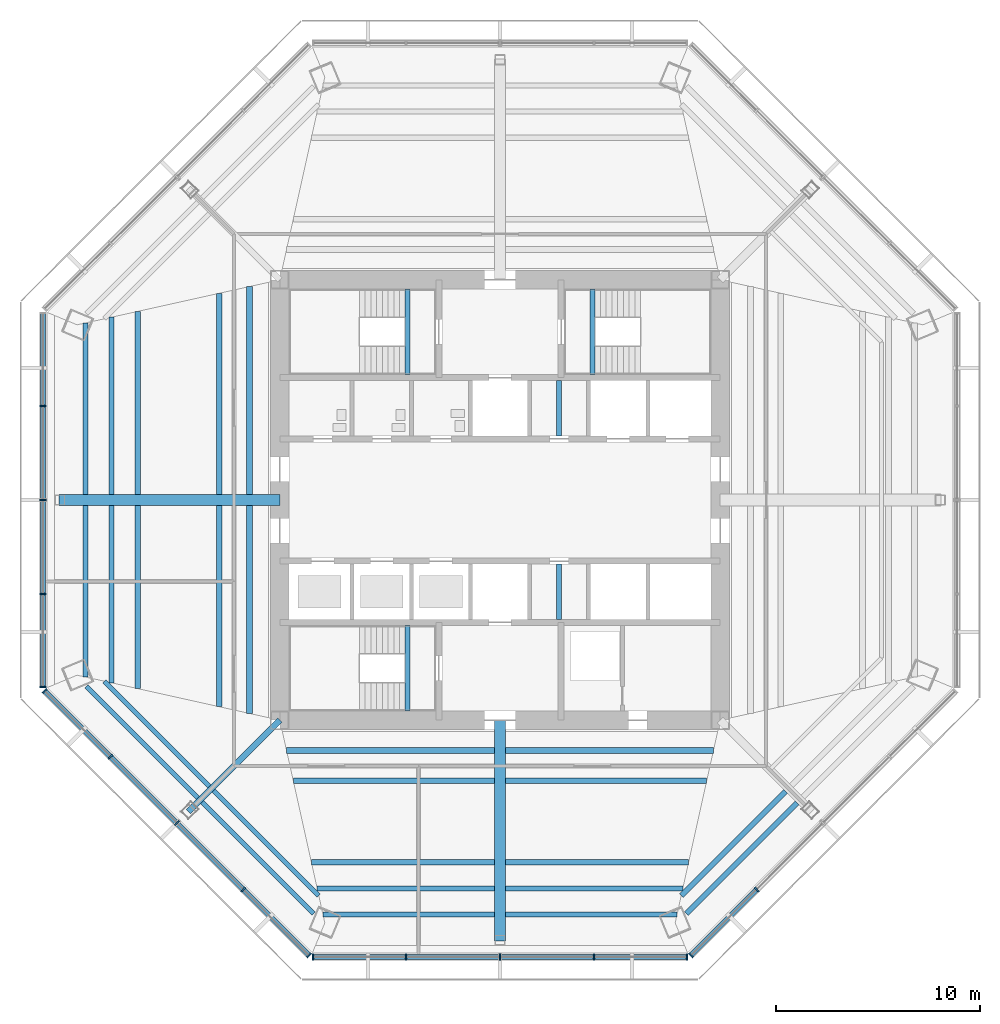
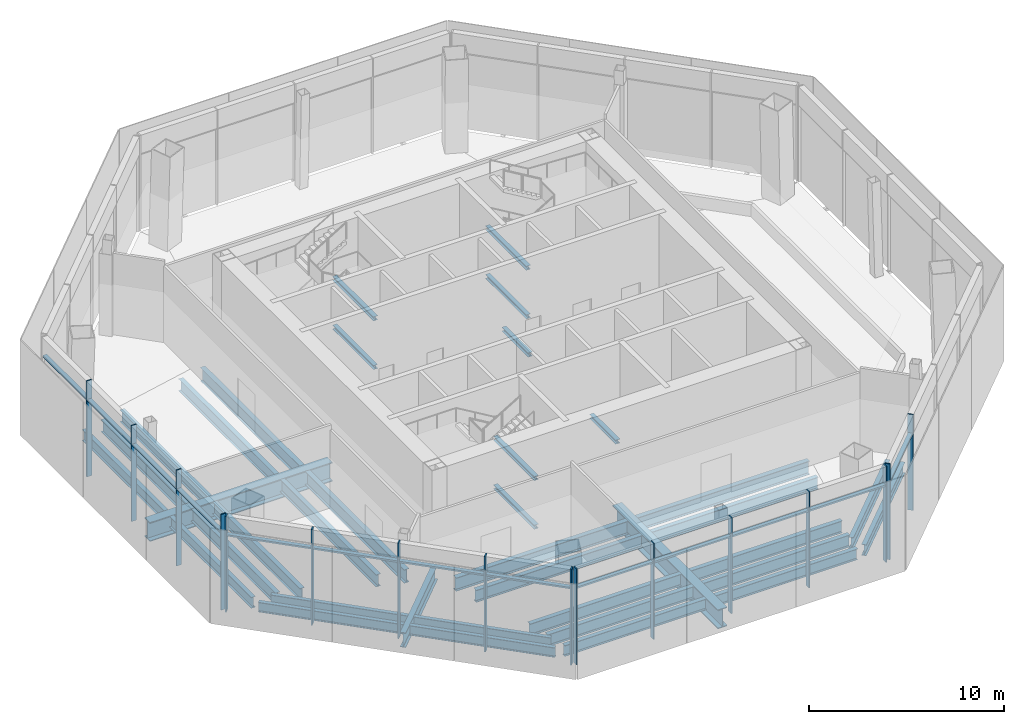
# One storey, part 2 of 13: 37 beams, 29 members, 4 elements without a shape of their own.
"""IFC4 building model written with IfcOpenShell, lengths in metres."""

from ifc_helpers import new_model, si_unit, direction, frame, origin, origin_2d, place, context, subcontext, project, spatial, rectangle, i_section, extrude, source, transform, mapped, material, material_profile, profile_set, type_object, type_shapes, element, aggregate, save


model = new_model("IFC4")

# Units and contexts
model_context = context("Model", 3, precision=1e-05, world=origin(), true_north=direction((0.0, 1.0)))
body_context = subcontext(model_context, "Body", "Model", "MODEL_VIEW")
ifc_project = project(units=[si_unit("LENGTHUNIT", "METRE"), si_unit("AREAUNIT", "SQUARE_METRE"), si_unit("VOLUMEUNIT", "CUBIC_METRE"), si_unit("PLANEANGLEUNIT", "RADIAN"), si_unit("MASSUNIT", "GRAM", prefix="KILO")], contexts=[model_context])

# Site, building, storey
site_placement = place(None, origin())
site = spatial("IfcSite", under=ifc_project, at=site_placement, CompositionType="ELEMENT")
building_placement = place(site_placement, origin())
building = spatial("IfcBuilding", under=site, at=building_placement, Name="Mashrafa Tower", CompositionType="ELEMENT")
storey_placement = place(building_placement, frame((0.0, 0.0, 198.0)))
storey = spatial("IfcBuildingStorey", under=building, at=storey_placement, Name="L45", CompositionType="ELEMENT", Elevation=198.0)

# Beams
ifc_material_1 = material(Name="Steel ASTM A572 Gr 50", Category="steel")
ifc_material_profile_1 = material_profile(ifc_material_1, i_section(OverallWidth=0.550048828125, OverallDepth=1.199951171875, WebThickness=0.02490234375, FlangeThickness=0.06005859375, at=origin_2d()), Name="H1200X550X25X60")
ifc_profile_set_1 = profile_set([ifc_material_profile_1], Name="Steel ASTM A572 Gr 50")
beam_type_1 = type_object("IfcBeamType", Name="Beam H1200X550X25X60", PredefinedType="BEAM", material=ifc_profile_set_1)
for number, where, z_axis, x_axis, name in (
    (1, (-10.800048828125, 0.0, -0.85009765625), (-1.0, 0.0, 0.0), (0.0, -1.0, 0.0), "Radial girder L45 058"),
    (2, (0.0, -10.800048828125, -0.85009765625), (0.0, -1.0, 0.0), (1.0, 0.0, 0.0), "Radial girder L45 060"),
):
    element("IfcBeam", number, at=place(storey_placement, frame(where, z_axis=z_axis, x_axis=x_axis)), inside=storey, type_object=beam_type_1, Name=name, PredefinedType="BEAM", context=body_context, shape_type="SweptSolid", body=[
        extrude(i_section(OverallWidth=0.550048828125, OverallDepth=1.199951171875, WebThickness=0.02490234375, FlangeThickness=0.06005859375, at=origin_2d()), origin(), (0.0, 0.0, 1.0), 10.820556640625),
    ])
ifc_material_2 = material(Name="Steel ASTM A992", Category="steel")
ifc_material_profile_2 = material_profile(ifc_material_2, i_section(OverallWidth=0.228271484375, OverallDepth=0.607177734375, WebThickness=0.01123046875, FlangeThickness=0.017333984375, FilletRadius=0.0126953125, at=origin_2d()), Name="W24X76")
ifc_profile_set_2 = profile_set([ifc_material_profile_2], Name="Steel ASTM A992")
beam_type_2 = type_object("IfcBeamType", Name="Beam W24X76", PredefinedType="BEAM", material=ifc_profile_set_2)
for number, where, z_axis, x_axis, name in (
    (3, (-14.256591796875, -14.0390625, -0.553466796875), (-0.707090022918, 0.707123539058, 0.0), (-0.707123539058, -0.707090022918, 0.0), "Floor beam L45 011"),
    (4, (-8.88818359375, -19.4072265625, -0.553466796875), (-0.707123539058, 0.707090022918, 0.0), (-0.707090022918, -0.707123539058, 0.0), "Floor beam L45 022"),
):
    element("IfcBeam", number, at=place(storey_placement, frame(where, z_axis=z_axis, x_axis=x_axis)), inside=storey, type_object=beam_type_2, Name=name, PredefinedType="BEAM", context=body_context, shape_type="SweptSolid", body=[
        extrude(i_section(OverallWidth=0.228271484375, OverallDepth=0.607177734375, WebThickness=0.01123046875, FlangeThickness=0.017333984375, FilletRadius=0.0126953125, at=origin_2d()), origin(), (0.0, 0.0, 1.0), 7.2841796875),
    ])
ifc_material_3 = material(Name="Steel ASTM A992", Category="steel")
ifc_material_profile_3 = material_profile(ifc_material_3, i_section(OverallWidth=0.22900390625, OverallDepth=0.612060546875, WebThickness=0.011962890625, FlangeThickness=0.01953125, FilletRadius=0.0126953125, at=origin_2d()), Name="W24X84")
ifc_profile_set_3 = profile_set([ifc_material_profile_3], Name="Steel ASTM A992")
beam_type_3 = type_object("IfcBeamType", Name="Beam W24X84", PredefinedType="BEAM", material=ifc_profile_set_3)
for number, where, z_axis, x_axis, name in (
    (5, (-14.82666015625, -14.609130859375, -0.55615234375), (-0.707122563587, 0.707090998434, 0.0), (-0.707090998434, -0.707122563587, 0.0), "Floor beam L45 009"),
    (6, (-9.14013671875, -20.2958984375, -0.55615234375), (-0.707090998434, 0.707122563587, 0.0), (-0.707122563587, -0.707090998434, 0.0), "Floor beam L45 020"),
):
    element("IfcBeam", number, at=place(storey_placement, frame(where, z_axis=z_axis, x_axis=x_axis)), inside=storey, type_object=beam_type_3, Name=name, PredefinedType="BEAM", context=body_context, shape_type="SweptSolid", body=[
        extrude(i_section(OverallWidth=0.22900390625, OverallDepth=0.612060546875, WebThickness=0.011962890625, FlangeThickness=0.01953125, FilletRadius=0.0126953125, at=origin_2d()), origin(), (0.0, 0.0, 1.0), 7.734619140625),
    ])
ifc_material_4 = material(Name="Steel ASTM A992", Category="steel")
ifc_material_profile_4 = material_profile(ifc_material_4, i_section(OverallWidth=0.256591796875, OverallDepth=0.693359375, WebThickness=0.014404296875, FlangeThickness=0.023681640625, FilletRadius=0.01513671875, at=origin_2d()), Name="W27X114")
ifc_profile_set_4 = profile_set([ifc_material_profile_4], Name="Steel ASTM A992")
beam_type_4 = type_object("IfcBeamType", Name="Beam W27X114", PredefinedType="BEAM", material=ifc_profile_set_4)
beam_1_placement = place(storey_placement, frame((14.575927734375, -14.85986328125, -0.5966796875), z_axis=(-0.70709090203, -0.707122659987, 0.0), x_axis=(0.707122659987, -0.70709090203, 0.0)))
element("IfcBeam", 7, at=beam_1_placement, inside=storey, type_object=beam_type_4, Name="Floor beam L45 047", PredefinedType="BEAM", context=body_context, shape_type="SweptSolid", body=[
    extrude(i_section(OverallWidth=0.256591796875, OverallDepth=0.693359375, WebThickness=0.014404296875, FlangeThickness=0.023681640625, FilletRadius=0.01513671875, at=origin_2d()), origin(), (0.0, 0.0, 1.0), 7.6875),
])
ifc_material_5 = material(Name="Steel ASTM A992", Category="steel")
ifc_material_profile_5 = material_profile(ifc_material_5, i_section(OverallWidth=0.25390625, OverallDepth=0.683349609375, WebThickness=0.012451171875, FlangeThickness=0.01904296875, FilletRadius=0.01513671875, at=origin_2d()), Name="W27X94")
ifc_profile_set_5 = profile_set([ifc_material_profile_5], Name="Steel ASTM A992")
beam_type_5 = type_object("IfcBeamType", Name="Beam W27X94", PredefinedType="BEAM", material=ifc_profile_set_5)
for number, where, z_axis, x_axis, name in (
    (8, (-20.33740234375, -8.681640625, -0.591552734375), (0.0, 1.0, 0.0), (-1.0, 0.0, 0.0), "Floor beam L45 001"),
    (9, (-20.33740234375, 0.27490234375, -0.591552734375), (0.0, 1.0, 0.0), (-1.0, 0.0, 0.0), "Floor beam L45 002"),
    (10, (-0.27490234375, -20.33740234375, -0.591552734375), (-1.0, 0.0, 0.0), (0.0, -1.0, 0.0), "Floor beam L45 024"),
    (11, (8.681640625, -20.33740234375, -0.591552734375), (-1.0, 0.0, 0.0), (0.0, -1.0, 0.0), "Floor beam L45 034"),
):
    element("IfcBeam", number, at=place(storey_placement, frame(where, z_axis=z_axis, x_axis=x_axis)), inside=storey, type_object=beam_type_5, Name=name, PredefinedType="BEAM", context=body_context, shape_type="SweptSolid", body=[
        extrude(i_section(OverallWidth=0.25390625, OverallDepth=0.683349609375, WebThickness=0.012451171875, FlangeThickness=0.01904296875, FilletRadius=0.01513671875, at=origin_2d()), origin(), (0.0, 0.0, 1.0), 8.40673828125),
    ])
ifc_material_6 = material(Name="Steel ASTM A992", Category="steel")
ifc_material_profile_6 = material_profile(ifc_material_6, i_section(OverallWidth=0.2666015625, OverallDepth=0.761962890625, WebThickness=0.014404296875, FlangeThickness=0.021484375, FilletRadius=0.0166015625, at=origin_2d()), Name="W30X116")
ifc_profile_set_6 = profile_set([ifc_material_profile_6], Name="Steel ASTM A992")
beam_type_6 = type_object("IfcBeamType", Name="Beam W30X116", PredefinedType="BEAM", material=ifc_profile_set_6)
for number, where, z_axis, x_axis, name in (
    (12, (-13.77099609375, -10.14013671875, -0.631103515625), (0.0, 1.0, 0.0), (-1.0, 0.0, 0.0), "Floor beam L45 013"),
    (13, (-13.77099609375, 0.27490234375, -0.631103515625), (0.0, 1.0, 0.0), (-1.0, 0.0, 0.0), "Floor beam L45 014"),
    (14, (-0.27490234375, -13.77099609375, -0.631103515625), (-1.0, 0.0, 0.0), (0.0, -1.0, 0.0), "Floor beam L45 027"),
    (15, (10.14013671875, -13.77099609375, -0.631103515625), (-1.0, 0.0, 0.0), (0.0, -1.0, 0.0), "Floor beam L45 039"),
):
    element("IfcBeam", number, at=place(storey_placement, frame(where, z_axis=z_axis, x_axis=x_axis)), inside=storey, type_object=beam_type_6, Name=name, PredefinedType="BEAM", context=body_context, shape_type="SweptSolid", body=[
        extrude(i_section(OverallWidth=0.2666015625, OverallDepth=0.761962890625, WebThickness=0.014404296875, FlangeThickness=0.021484375, FilletRadius=0.0166015625, at=origin_2d()), origin(), (0.0, 0.0, 1.0), 9.865234375),
    ])
ifc_material_7 = material(Name="Steel ASTM A992", Category="steel")
ifc_material_profile_7 = material_profile(ifc_material_7, i_section(OverallWidth=0.2666015625, OverallDepth=0.75439453125, WebThickness=0.01318359375, FlangeThickness=0.01708984375, FilletRadius=0.0166015625, at=origin_2d()), Name="W30X99")
ifc_profile_set_7 = profile_set([ifc_material_profile_7], Name="Steel ASTM A992")
beam_type_7 = type_object("IfcBeamType", Name="Beam W30X99", PredefinedType="BEAM", material=ifc_profile_set_7)
for number, where, z_axis, x_axis, name in (
    (16, (-19.05419921875, -8.966796875, -0.627197265625), (0.0, 1.0, 0.0), (-1.0, 0.0, 0.0), "Floor beam L45 005"),
    (17, (-19.05419921875, 0.27490234375, -0.627197265625), (0.0, 1.0, 0.0), (-1.0, 0.0, 0.0), "Floor beam L45 006"),
):
    element("IfcBeam", number, at=place(storey_placement, frame(where, z_axis=z_axis, x_axis=x_axis)), inside=storey, type_object=beam_type_7, Name=name, PredefinedType="BEAM", context=body_context, shape_type="SweptSolid", body=[
        extrude(i_section(OverallWidth=0.2666015625, OverallDepth=0.75439453125, WebThickness=0.01318359375, FlangeThickness=0.01708984375, FilletRadius=0.0166015625, at=origin_2d()), origin(), (0.0, 0.0, 1.0), 8.69189453125),
    ])
for number, where, z_axis, x_axis, name in (
    (18, (-17.77099609375, -9.251708984375, -0.627197265625), (0.0, 1.0, 0.0), (-1.0, 0.0, 0.0), "Floor beam L45 007"),
    (19, (-17.77099609375, 0.27490234375, -0.627197265625), (0.0, 1.0, 0.0), (-1.0, 0.0, 0.0), "Floor beam L45 008"),
):
    element("IfcBeam", number, at=place(storey_placement, frame(where, z_axis=z_axis, x_axis=x_axis)), inside=storey, type_object=beam_type_7, Name=name, PredefinedType="BEAM", context=body_context, shape_type="SweptSolid", body=[
        extrude(i_section(OverallWidth=0.2666015625, OverallDepth=0.75439453125, WebThickness=0.01318359375, FlangeThickness=0.01708984375, FilletRadius=0.0166015625, at=origin_2d()), origin(), (0.0, 0.0, 1.0), 8.976806640625),
    ])
beam_2_placement = place(storey_placement, frame((-0.27490234375, -19.05419921875, -0.627197265625), z_axis=(-1.0, 0.0, 0.0), x_axis=(0.0, -1.0, 0.0)))
element("IfcBeam", 20, at=beam_2_placement, inside=storey, type_object=beam_type_7, Name="Floor beam L45 025", PredefinedType="BEAM", context=body_context, shape_type="SweptSolid", body=[
    extrude(i_section(OverallWidth=0.2666015625, OverallDepth=0.75439453125, WebThickness=0.01318359375, FlangeThickness=0.01708984375, FilletRadius=0.0166015625, at=origin_2d()), origin(), (0.0, 0.0, 1.0), 8.69189453125),
])
beam_3_placement = place(storey_placement, frame((-0.27490234375, -17.77099609375, -0.627197265625), z_axis=(-1.0, 0.0, 0.0), x_axis=(0.0, -1.0, 0.0)))
element("IfcBeam", 21, at=beam_3_placement, inside=storey, type_object=beam_type_7, Name="Floor beam L45 026", PredefinedType="BEAM", context=body_context, shape_type="SweptSolid", body=[
    extrude(i_section(OverallWidth=0.2666015625, OverallDepth=0.75439453125, WebThickness=0.01318359375, FlangeThickness=0.01708984375, FilletRadius=0.0166015625, at=origin_2d()), origin(), (0.0, 0.0, 1.0), 8.976806640625),
])
beam_4_placement = place(storey_placement, frame((8.966796875, -19.05419921875, -0.627197265625), z_axis=(-1.0, 0.0, 0.0), x_axis=(0.0, -1.0, 0.0)))
element("IfcBeam", 22, at=beam_4_placement, inside=storey, type_object=beam_type_7, Name="Floor beam L45 036", PredefinedType="BEAM", context=body_context, shape_type="SweptSolid", body=[
    extrude(i_section(OverallWidth=0.2666015625, OverallDepth=0.75439453125, WebThickness=0.01318359375, FlangeThickness=0.01708984375, FilletRadius=0.0166015625, at=origin_2d()), origin(), (0.0, 0.0, 1.0), 8.69189453125),
])
beam_5_placement = place(storey_placement, frame((9.251708984375, -17.77099609375, -0.627197265625), z_axis=(-1.0, 0.0, 0.0), x_axis=(0.0, -1.0, 0.0)))
element("IfcBeam", 23, at=beam_5_placement, inside=storey, type_object=beam_type_7, Name="Floor beam L45 038", PredefinedType="BEAM", context=body_context, shape_type="SweptSolid", body=[
    extrude(i_section(OverallWidth=0.2666015625, OverallDepth=0.75439453125, WebThickness=0.01318359375, FlangeThickness=0.01708984375, FilletRadius=0.0166015625, at=origin_2d()), origin(), (0.0, 0.0, 1.0), 8.976806640625),
])
beam_6_placement = place(storey_placement, frame((14.005859375, -14.289794921875, -0.627197265625), z_axis=(-0.707123647784, -0.707089914187, 0.0), x_axis=(0.707089914187, -0.707123647784, 0.0)))
element("IfcBeam", 24, at=beam_6_placement, inside=storey, type_object=beam_type_7, Name="Floor beam L45 045", PredefinedType="BEAM", context=body_context, shape_type="SweptSolid", body=[
    extrude(i_section(OverallWidth=0.2666015625, OverallDepth=0.75439453125, WebThickness=0.01318359375, FlangeThickness=0.01708984375, FilletRadius=0.0166015625, at=origin_2d()), origin(), (0.0, 0.0, 1.0), 7.2373046875),
])
ifc_material_8 = material(Name="Steel ASTM A992", Category="steel")
ifc_material_profile_8 = material_profile(ifc_material_8, i_section(OverallWidth=0.2919921875, OverallDepth=0.8408203125, WebThickness=0.0146484375, FlangeThickness=0.021728515625, FilletRadius=0.017333984375, at=origin_2d()), Name="W33X130")
ifc_profile_set_8 = profile_set([ifc_material_profile_8], Name="Steel ASTM A992")
beam_type_8 = type_object("IfcBeamType", Name="Beam W33X130", PredefinedType="BEAM", material=ifc_profile_set_8)
for number, where, z_axis, x_axis, name in (
    (25, (-12.285400390625, -10.47021484375, -0.67041015625), (0.0, 1.0, 0.0), (-1.0, 0.0, 0.0), "Floor beam L45 015"),
    (26, (-12.285400390625, 0.27490234375, -0.67041015625), (0.0, 1.0, 0.0), (-1.0, 0.0, 0.0), "Floor beam L45 016"),
    (27, (-0.27490234375, -12.285400390625, -0.67041015625), (-1.0, 0.0, 0.0), (0.0, -1.0, 0.0), "Floor beam L45 028"),
    (28, (10.47021484375, -12.285400390625, -0.67041015625), (-1.0, 0.0, 0.0), (0.0, -1.0, 0.0), "Floor beam L45 040"),
):
    element("IfcBeam", number, at=place(storey_placement, frame(where, z_axis=z_axis, x_axis=x_axis)), inside=storey, type_object=beam_type_8, Name=name, PredefinedType="BEAM", context=body_context, shape_type="SweptSolid", body=[
        extrude(i_section(OverallWidth=0.2919921875, OverallDepth=0.8408203125, WebThickness=0.0146484375, FlangeThickness=0.021728515625, FilletRadius=0.017333984375, at=origin_2d()), origin(), (0.0, 0.0, 1.0), 10.1953125),
    ])
ifc_material_9 = material(Name="Steel ASTM A992", Category="steel")
ifc_material_profile_9 = material_profile(ifc_material_9, i_section(OverallWidth=0.307373046875, OverallDepth=0.927001953125, WebThickness=0.01953125, FlangeThickness=0.031982421875, FilletRadius=0.01904296875, at=origin_2d()), Name="W36X194")
ifc_profile_set_9 = profile_set([ifc_material_profile_9], Name="Steel ASTM A992")
beam_type_9 = type_object("IfcBeamType", Name="Beam W36X194", PredefinedType="BEAM", material=ifc_profile_set_9)
beam_7_placement = place(storey_placement, frame((-10.800048828125, -10.800048828125, -0.713623046875), z_axis=(-0.707106781187, -0.707106781187, 0.0), x_axis=(0.707106781187, -0.707106781187, 0.0)))
element("IfcBeam", 29, at=beam_7_placement, inside=storey, type_object=beam_type_9, Name="Radial girder L45 057", PredefinedType="BEAM", context=body_context, shape_type="SweptSolid", body=[
    extrude(i_section(OverallWidth=0.307373046875, OverallDepth=0.927001953125, WebThickness=0.01953125, FlangeThickness=0.031982421875, FilletRadius=0.01904296875, at=origin_2d()), origin(), (0.0, 0.0, 1.0), 6.346923828125),
])
ifc_material_10 = material(Name="Steel ASTM A992", Category="steel")
ifc_material_profile_10 = material_profile(ifc_material_10, i_section(OverallWidth=0.25390625, OverallDepth=0.25390625, WebThickness=0.008544921875, FlangeThickness=0.01416015625, FilletRadius=0.010009765625, at=origin_2d()), Name="W10X49")
ifc_profile_set_10 = profile_set([ifc_material_profile_10], Name="Steel ASTM A992")
beam_type_10 = type_object("IfcBeamType", Name="Hoistway beam W10X49", PredefinedType="BEAM", material=ifc_profile_set_10)
for number, where, z_axis, x_axis, name in (
    (30, (2.89990234375, 3.14990234375, -0.376953125), (0.0, 1.0, 0.0), (-1.0, 0.0, 0.0), "Hoistway beam L45 06"),
    (31, (2.89990234375, -5.85009765625, -0.376953125), (0.0, 1.0, 0.0), (-1.0, 0.0, 0.0), "Hoistway beam L45 07"),
):
    element("IfcBeam", number, at=place(storey_placement, frame(where, z_axis=z_axis, x_axis=x_axis)), inside=storey, type_object=beam_type_10, Name=name, PredefinedType="BEAM", context=body_context, shape_type="SweptSolid", body=[
        extrude(i_section(OverallWidth=0.25390625, OverallDepth=0.25390625, WebThickness=0.008544921875, FlangeThickness=0.01416015625, FilletRadius=0.010009765625, at=origin_2d()), origin(), (0.0, 0.0, 1.0), 2.7001953125),
    ])
for number, where, z_axis, x_axis, name in (
    (32, (-4.530029296875, 6.14990234375, -0.376953125), (0.0, 1.0, 0.0), (-1.0, 0.0, 0.0), "Stair S1 landing beam L45"),
    (33, (-4.530029296875, 6.14990234375, 2.673095703125), (0.0, 1.0, 0.0), (-1.0, 0.0, 0.0), "Stair S1 landing beam L45"),
    (34, (4.530029296875, 6.14990234375, -0.376953125), (0.0, 1.0, 0.0), (-1.0, 0.0, 0.0), "Stair S2 landing beam L45"),
    (35, (4.530029296875, 6.14990234375, 2.673095703125), (0.0, 1.0, 0.0), (-1.0, 0.0, 0.0), "Stair S2 landing beam L45"),
    (36, (-4.530029296875, -10.35009765625, -0.376953125), (0.0, 1.0, 0.0), (-1.0, 0.0, 0.0), "Stair S3 landing beam L45"),
    (37, (-4.530029296875, -10.35009765625, 2.673095703125), (0.0, 1.0, 0.0), (-1.0, 0.0, 0.0), "Stair S3 landing beam L45"),
):
    element("IfcBeam", number, at=place(storey_placement, frame(where, z_axis=z_axis, x_axis=x_axis)), inside=storey, type_object=beam_type_10, Name=name, PredefinedType="BEAM", context=body_context, shape_type="SweptSolid", body=[
        extrude(i_section(OverallWidth=0.25390625, OverallDepth=0.25390625, WebThickness=0.008544921875, FlangeThickness=0.01416015625, FilletRadius=0.010009765625, at=origin_2d()), origin(), (0.0, 0.0, 1.0), 4.2001953125),
    ])

# Curtain wall, members
ifc_material_11 = material(Name="Unitised aluminium curtain wall", Category="aluminium")
curtain_wall_type = type_object("IfcCurtainWallType", Name="Sky garden curtain wall CW-E 300 deep", PredefinedType="NOTDEFINED", material=ifc_material_11)
curtain_wall_1_placement = place(storey_placement, origin())
curtain_wall_1 = element("IfcCurtainWall", 38, at=curtain_wall_1_placement, inside=storey, type_object=curtain_wall_type, Name="Sky garden curtain wall L45 west", PredefinedType="NOTDEFINED")
ifc_material_12 = material(Name="Extruded aluminium mullion", Category="aluminium")
ifc_material_profile_11 = material_profile(ifc_material_12, rectangle(XDim=0.300048828125, YDim=0.074951171875, at=origin_2d()), Name="Mullion 75x300")
ifc_profile_set_11 = profile_set([ifc_material_profile_11], Name="Extruded aluminium mullion")
member_type_1 = type_object("IfcMemberType", Name="Mullion CW-E 75 x 300", PredefinedType="MULLION", material=ifc_profile_set_11)
shared_shape_1 = source(origin(), body_context, "Body", "SweptSolid", [
    extrude(rectangle(XDim=0.300048828125, YDim=0.074951171875, at=origin_2d()), origin(), (0.0, 0.0, 1.0), 6.0),
])
type_shapes(member_type_1, [shared_shape_1])
member_1_placement = place(storey_placement, frame((-22.41357421875, 4.60595703125, 0.0), z_axis=(0.0, 0.0, 1.0), x_axis=(1.0, 0.0, 0.0)))
member_1 = element("IfcMember", 39, at=member_1_placement, type_object=member_type_1, Name="CW-E mullion 2", PredefinedType="MULLION", context=body_context, shape_type="MappedRepresentation", body=[
    mapped(shared_shape_1, transform((0.0, 0.0, 0.0))),
])
member_2_placement = place(storey_placement, frame((-22.41357421875, 0.0, 0.0), z_axis=(0.0, 0.0, 1.0), x_axis=(1.0, 0.0, 0.0)))
member_2 = element("IfcMember", 40, at=member_2_placement, type_object=member_type_1, Name="CW-E mullion 3", PredefinedType="MULLION", context=body_context, shape_type="MappedRepresentation", body=[
    mapped(shared_shape_1, transform((0.0, 0.0, 0.0))),
])
member_3_placement = place(storey_placement, frame((-22.41357421875, -4.60595703125, 0.0), z_axis=(0.0, 0.0, 1.0), x_axis=(1.0, 0.0, 0.0)))
member_3 = element("IfcMember", 41, at=member_3_placement, type_object=member_type_1, Name="CW-E mullion 4", PredefinedType="MULLION", context=body_context, shape_type="MappedRepresentation", body=[
    mapped(shared_shape_1, transform((0.0, 0.0, 0.0))),
])
member_4_placement = place(storey_placement, frame((-22.41357421875, -9.17431640625, 0.0), z_axis=(0.0, 0.0, 1.0), x_axis=(1.0, 0.0, 0.0)))
member_4 = element("IfcMember", 42, at=member_4_placement, type_object=member_type_1, Name="CW-E mullion 5", PredefinedType="MULLION", context=body_context, shape_type="MappedRepresentation", body=[
    mapped(shared_shape_1, transform((0.0, 0.0, 0.0))),
])

curtain_wall_2_placement = place(storey_placement, origin())
curtain_wall_2 = element("IfcCurtainWall", 43, at=curtain_wall_2_placement, inside=storey, type_object=curtain_wall_type, Name="Sky garden curtain wall L45 south-west", PredefinedType="NOTDEFINED")
member_5_placement = place(storey_placement, frame((-22.3359375, -9.361572265625, 0.0), z_axis=(0.0, 0.0, 1.0), x_axis=(0.707106781187, 0.707106781187, 0.0)))
member_5 = element("IfcMember", 44, at=member_5_placement, type_object=member_type_1, Name="CW-E mullion 1", PredefinedType="MULLION", context=body_context, shape_type="MappedRepresentation", body=[
    mapped(shared_shape_1, transform((0.0, 0.0, 0.0))),
])
member_6_placement = place(storey_placement, frame((-19.105712890625, -12.591796875, 0.0), z_axis=(0.0, 0.0, 1.0), x_axis=(0.707106781187, 0.707106781187, 0.0)))
member_6 = element("IfcMember", 45, at=member_6_placement, type_object=member_type_1, Name="CW-E mullion 2", PredefinedType="MULLION", context=body_context, shape_type="MappedRepresentation", body=[
    mapped(shared_shape_1, transform((0.0, 0.0, 0.0))),
])
member_7_placement = place(storey_placement, frame((-15.848876953125, -15.848876953125, 0.0), z_axis=(0.0, 0.0, 1.0), x_axis=(0.707106781187, 0.707106781187, 0.0)))
member_7 = element("IfcMember", 46, at=member_7_placement, type_object=member_type_1, Name="CW-E mullion 3", PredefinedType="MULLION", context=body_context, shape_type="MappedRepresentation", body=[
    mapped(shared_shape_1, transform((0.0, 0.0, 0.0))),
])
member_8_placement = place(storey_placement, frame((-12.591796875, -19.105712890625, 0.0), z_axis=(0.0, 0.0, 1.0), x_axis=(0.707106781187, 0.707106781187, 0.0)))
member_8 = element("IfcMember", 47, at=member_8_placement, type_object=member_type_1, Name="CW-E mullion 4", PredefinedType="MULLION", context=body_context, shape_type="MappedRepresentation", body=[
    mapped(shared_shape_1, transform((0.0, 0.0, 0.0))),
])
member_9_placement = place(storey_placement, frame((-9.361572265625, -22.3359375, 0.0), z_axis=(0.0, 0.0, 1.0), x_axis=(0.707106781187, 0.707106781187, 0.0)))
member_9 = element("IfcMember", 48, at=member_9_placement, type_object=member_type_1, Name="CW-E mullion 5", PredefinedType="MULLION", context=body_context, shape_type="MappedRepresentation", body=[
    mapped(shared_shape_1, transform((0.0, 0.0, 0.0))),
])

curtain_wall_3_placement = place(storey_placement, origin())
curtain_wall_3 = element("IfcCurtainWall", 49, at=curtain_wall_3_placement, inside=storey, type_object=curtain_wall_type, Name="Sky garden curtain wall L45 south", PredefinedType="NOTDEFINED")
member_10_placement = place(storey_placement, frame((-9.17431640625, -22.41357421875, 0.0), z_axis=(0.0, 0.0, 1.0), x_axis=(0.0, 1.0, 0.0)))
member_10 = element("IfcMember", 50, at=member_10_placement, type_object=member_type_1, Name="CW-E mullion 1", PredefinedType="MULLION", context=body_context, shape_type="MappedRepresentation", body=[
    mapped(shared_shape_1, transform((0.0, 0.0, 0.0))),
])
member_11_placement = place(storey_placement, frame((-4.60595703125, -22.41357421875, 0.0), z_axis=(0.0, 0.0, 1.0), x_axis=(0.0, 1.0, 0.0)))
member_11 = element("IfcMember", 51, at=member_11_placement, type_object=member_type_1, Name="CW-E mullion 2", PredefinedType="MULLION", context=body_context, shape_type="MappedRepresentation", body=[
    mapped(shared_shape_1, transform((0.0, 0.0, 0.0))),
])
member_12_placement = place(storey_placement, frame((0.0, -22.41357421875, 0.0), z_axis=(0.0, 0.0, 1.0), x_axis=(0.0, 1.0, 0.0)))
member_12 = element("IfcMember", 52, at=member_12_placement, type_object=member_type_1, Name="CW-E mullion 3", PredefinedType="MULLION", context=body_context, shape_type="MappedRepresentation", body=[
    mapped(shared_shape_1, transform((0.0, 0.0, 0.0))),
])
member_13_placement = place(storey_placement, frame((4.60595703125, -22.41357421875, 0.0), z_axis=(0.0, 0.0, 1.0), x_axis=(0.0, 1.0, 0.0)))
member_13 = element("IfcMember", 53, at=member_13_placement, type_object=member_type_1, Name="CW-E mullion 4", PredefinedType="MULLION", context=body_context, shape_type="MappedRepresentation", body=[
    mapped(shared_shape_1, transform((0.0, 0.0, 0.0))),
])
member_14_placement = place(storey_placement, frame((9.17431640625, -22.41357421875, 0.0), z_axis=(0.0, 0.0, 1.0), x_axis=(0.0, 1.0, 0.0)))
member_14 = element("IfcMember", 54, at=member_14_placement, type_object=member_type_1, Name="CW-E mullion 5", PredefinedType="MULLION", context=body_context, shape_type="MappedRepresentation", body=[
    mapped(shared_shape_1, transform((0.0, 0.0, 0.0))),
])

curtain_wall_4_placement = place(storey_placement, origin())
curtain_wall_4 = element("IfcCurtainWall", 55, at=curtain_wall_4_placement, inside=storey, type_object=curtain_wall_type, Name="Sky garden curtain wall L45 south-east", PredefinedType="NOTDEFINED")
member_15_placement = place(storey_placement, frame((9.361572265625, -22.3359375, 0.0), z_axis=(0.0, 0.0, 1.0), x_axis=(-0.707106781187, 0.707106781187, 0.0)))
member_15 = element("IfcMember", 56, at=member_15_placement, type_object=member_type_1, Name="CW-E mullion 1", PredefinedType="MULLION", context=body_context, shape_type="MappedRepresentation", body=[
    mapped(shared_shape_1, transform((0.0, 0.0, 0.0))),
])
member_16_placement = place(storey_placement, frame((12.591796875, -19.105712890625, 0.0), z_axis=(0.0, 0.0, 1.0), x_axis=(-0.707106781187, 0.707106781187, 0.0)))
member_16 = element("IfcMember", 57, at=member_16_placement, type_object=member_type_1, Name="CW-E mullion 2", PredefinedType="MULLION", context=body_context, shape_type="MappedRepresentation", body=[
    mapped(shared_shape_1, transform((0.0, 0.0, 0.0))),
])

# Member
ifc_material_13 = material(Name="Extruded aluminium transom", Category="aluminium")
ifc_material_profile_12 = material_profile(ifc_material_13, rectangle(XDim=0.239990234375, YDim=0.10009765625, at=origin_2d()), Name="Transom 100x240")
ifc_profile_set_12 = profile_set([ifc_material_profile_12], Name="Extruded aluminium transom")
member_type_2 = type_object("IfcMemberType", Name="Transom CW-E 100 x 240", PredefinedType="MULLION", material=ifc_profile_set_12)
shared_shape_2 = source(origin(), body_context, "Body", "SweptSolid", [
    extrude(rectangle(XDim=0.239990234375, YDim=0.10009765625, at=origin_2d()), origin(), (0.0, 0.0, 1.0), 4.493408203125),
])
member_17_placement = place(storey_placement, frame((-22.41357421875, 9.136962890625, 4.800048828125), z_axis=(0.0, -1.0, 0.0), x_axis=(1.0, 0.0, 0.0)))
member_17 = element("IfcMember", 58, at=member_17_placement, type_object=member_type_2, Name="CW-E transom 1", PredefinedType="MULLION", context=body_context, shape_type="MappedRepresentation", body=[
    mapped(shared_shape_2, transform((0.0, 0.0, 0.0))),
])

member_18_placement = place(storey_placement, frame((-22.41357421875, -4.6435546875, 4.800048828125), z_axis=(0.0, -1.0, 0.0), x_axis=(1.0, 0.0, 0.0)))
member_18 = element("IfcMember", 59, at=member_18_placement, type_object=member_type_2, Name="CW-E transom 4", PredefinedType="MULLION", context=body_context, shape_type="MappedRepresentation", body=[
    mapped(shared_shape_2, transform((0.0, 0.0, 0.0))),
])

member_19_placement = place(storey_placement, frame((-9.136962890625, -22.41357421875, 4.800048828125), z_axis=(1.0, 0.0, 0.0), x_axis=(0.0, 1.0, 0.0)))
member_19 = element("IfcMember", 60, at=member_19_placement, type_object=member_type_2, Name="CW-E transom 1", PredefinedType="MULLION", context=body_context, shape_type="MappedRepresentation", body=[
    mapped(shared_shape_2, transform((0.0, 0.0, 0.0))),
])

member_20_placement = place(storey_placement, frame((4.6435546875, -22.41357421875, 4.800048828125), z_axis=(1.0, 0.0, 0.0), x_axis=(0.0, 1.0, 0.0)))
member_20 = element("IfcMember", 61, at=member_20_placement, type_object=member_type_2, Name="CW-E transom 4", PredefinedType="MULLION", context=body_context, shape_type="MappedRepresentation", body=[
    mapped(shared_shape_2, transform((0.0, 0.0, 0.0))),
])

shared_shape_3 = source(origin(), body_context, "Body", "SweptSolid", [
    extrude(rectangle(XDim=0.239990234375, YDim=0.10009765625, at=origin_2d()), origin(), (0.0, 0.0, 1.0), 4.53076171875),
])
member_21_placement = place(storey_placement, frame((-22.41357421875, 4.568359375, 4.800048828125), z_axis=(0.0, -1.0, 0.0), x_axis=(1.0, 0.0, 0.0)))
member_21 = element("IfcMember", 62, at=member_21_placement, type_object=member_type_2, Name="CW-E transom 2", PredefinedType="MULLION", context=body_context, shape_type="MappedRepresentation", body=[
    mapped(shared_shape_3, transform((0.0, 0.0, 0.0))),
])

member_22_placement = place(storey_placement, frame((-22.41357421875, -0.03759765625, 4.800048828125), z_axis=(0.0, -1.0, 0.0), x_axis=(1.0, 0.0, 0.0)))
member_22 = element("IfcMember", 63, at=member_22_placement, type_object=member_type_2, Name="CW-E transom 3", PredefinedType="MULLION", context=body_context, shape_type="MappedRepresentation", body=[
    mapped(shared_shape_3, transform((0.0, 0.0, 0.0))),
])

aggregate(curtain_wall_1, [member_1, member_2, member_3, member_4, member_17, member_21, member_22, member_18])

member_23_placement = place(storey_placement, frame((-4.568359375, -22.41357421875, 4.800048828125), z_axis=(1.0, 0.0, 0.0), x_axis=(0.0, 1.0, 0.0)))
member_23 = element("IfcMember", 64, at=member_23_placement, type_object=member_type_2, Name="CW-E transom 2", PredefinedType="MULLION", context=body_context, shape_type="MappedRepresentation", body=[
    mapped(shared_shape_3, transform((0.0, 0.0, 0.0))),
])

member_24_placement = place(storey_placement, frame((0.03759765625, -22.41357421875, 4.800048828125), z_axis=(1.0, 0.0, 0.0), x_axis=(0.0, 1.0, 0.0)))
member_24 = element("IfcMember", 65, at=member_24_placement, type_object=member_type_2, Name="CW-E transom 3", PredefinedType="MULLION", context=body_context, shape_type="MappedRepresentation", body=[
    mapped(shared_shape_3, transform((0.0, 0.0, 0.0))),
])

aggregate(curtain_wall_3, [member_10, member_11, member_12, member_13, member_14, member_19, member_23, member_24, member_20])

shared_shape_4 = source(origin(), body_context, "Body", "SweptSolid", [
    extrude(rectangle(XDim=0.239990234375, YDim=0.10009765625, at=origin_2d()), origin(), (0.0, 0.0, 1.0), 4.49365234375),
])
member_25_placement = place(storey_placement, frame((-22.3095703125, -9.387939453125, 4.800048828125), z_axis=(0.707106781187, -0.707106781187, 0.0), x_axis=(0.707106781187, 0.707106781187, 0.0)))
member_25 = element("IfcMember", 66, at=member_25_placement, type_object=member_type_2, Name="CW-E transom 1", PredefinedType="MULLION", context=body_context, shape_type="MappedRepresentation", body=[
    mapped(shared_shape_4, transform((0.0, 0.0, 0.0))),
])

member_26_placement = place(storey_placement, frame((-12.5654296875, -19.132080078125, 4.800048828125), z_axis=(0.707106781187, -0.707106781187, 0.0), x_axis=(0.707106781187, 0.707106781187, 0.0)))
member_26 = element("IfcMember", 67, at=member_26_placement, type_object=member_type_2, Name="CW-E transom 4", PredefinedType="MULLION", context=body_context, shape_type="MappedRepresentation", body=[
    mapped(shared_shape_4, transform((0.0, 0.0, 0.0))),
])

member_27_placement = place(storey_placement, frame((9.387939453125, -22.3095703125, 4.800048828125), z_axis=(0.707106781187, 0.707106781187, 0.0), x_axis=(-0.707106781187, 0.707106781187, 0.0)))
member_27 = element("IfcMember", 68, at=member_27_placement, type_object=member_type_2, Name="CW-E transom 1", PredefinedType="MULLION", context=body_context, shape_type="MappedRepresentation", body=[
    mapped(shared_shape_4, transform((0.0, 0.0, 0.0))),
])

aggregate(curtain_wall_4, [member_15, member_16, member_27])

shared_shape_5 = source(origin(), body_context, "Body", "SweptSolid", [
    extrude(rectangle(XDim=0.239990234375, YDim=0.10009765625, at=origin_2d()), origin(), (0.0, 0.0, 1.0), 4.531005859375),
])
type_shapes(member_type_2, [shared_shape_2, shared_shape_3, shared_shape_4, shared_shape_5])
member_28_placement = place(storey_placement, frame((-19.0791015625, -12.618408203125, 4.800048828125), z_axis=(0.707106781187, -0.707106781187, 0.0), x_axis=(0.707106781187, 0.707106781187, 0.0)))
member_28 = element("IfcMember", 69, at=member_28_placement, type_object=member_type_2, Name="CW-E transom 2", PredefinedType="MULLION", context=body_context, shape_type="MappedRepresentation", body=[
    mapped(shared_shape_5, transform((0.0, 0.0, 0.0))),
])

member_29_placement = place(storey_placement, frame((-15.822265625, -15.875244140625, 4.800048828125), z_axis=(0.707106781187, -0.707106781187, 0.0), x_axis=(0.707106781187, 0.707106781187, 0.0)))
member_29 = element("IfcMember", 70, at=member_29_placement, type_object=member_type_2, Name="CW-E transom 3", PredefinedType="MULLION", context=body_context, shape_type="MappedRepresentation", body=[
    mapped(shared_shape_5, transform((0.0, 0.0, 0.0))),
])

aggregate(curtain_wall_2, [member_5, member_6, member_7, member_8, member_9, member_25, member_28, member_29, member_26])

save(model, "model.ifc")
